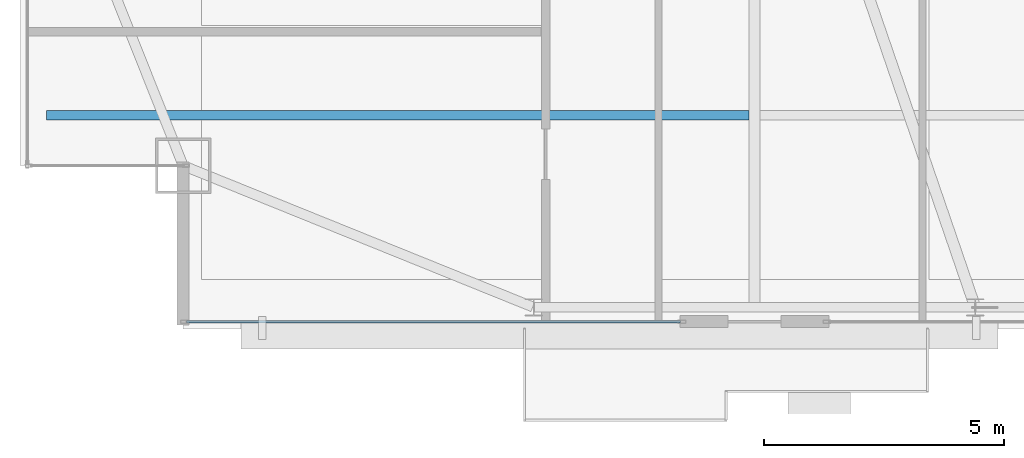
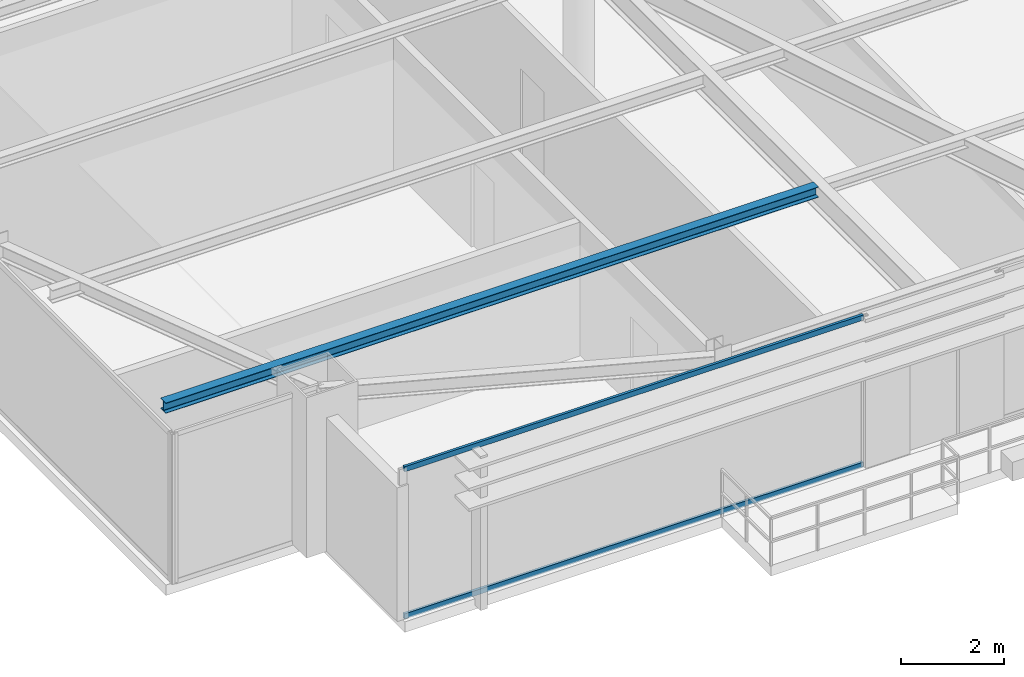
# One storey, part 5 of 30: 2 members, 1 beam, 1 element without a shape of its own.
"""IFC4 building model written with IfcOpenShell, lengths in metres."""

import ifcopenshell
import ifcopenshell.guid

model = None  # the IFC model being written
_history = None  # IfcOwnerHistory: only IFC2X3 demands one
_inside = {}  # id of a spatial element -> (the spatial element, [elements in it])
_under = {}  # id of a project, library or spatial element -> (it, [spatial elements below it])
_declared = {}  # id of a project -> (the project, [libraries it declares])
_typed = {}  # id of a type object -> (the type object, [elements of that type])
_made_of = {}  # id of a material, layer set ... -> (it, [elements and type objects made of it])


def new_model(schema):
    """Start an empty IFC model of exactly this schema.

    Asked for "IFC4X3", IfcOpenShell would pick the latest addendum, in which some entities
    have other attributes; the version numbers below select the first issue.
    IFC2X3 requires an IfcOwnerHistory on every rooted entity: one is made here for all.
    """
    global model, _history
    if schema == "IFC4X3":
        model = ifcopenshell.file(schema_version=(4, 3, 0, 0))
    else:
        model = ifcopenshell.file(schema=schema)
    _inside.clear()
    _under.clear()
    _declared.clear()
    _typed.clear()
    _made_of.clear()
    _history = None
    if model.schema == "IFC2X3":
        org = make("IfcOrganization", Name="unknown")
        user = make(
            "IfcPersonAndOrganization",
            ThePerson=make("IfcPerson", FamilyName="unknown"),
            TheOrganization=org,
        )
        app = make(
            "IfcApplication",
            ApplicationDeveloper=org,
            Version="unknown",
            ApplicationFullName="unknown",
            ApplicationIdentifier="unknown",
        )
        _history = make(
            "IfcOwnerHistory",
            OwningUser=user,
            OwningApplication=app,
            ChangeAction="ADDED",
            CreationDate=0,
        )
    return model


def make(cls, **values):
    """One entity of the class cls with the attributes given. An attribute that is None is left unset."""
    return model.create_entity(
        cls, **{name: value for name, value in values.items() if value is not None}
    )


def rooted(cls, **values):
    """An entity with a GlobalId (a new one), such as an element, a storey or a relation."""
    return make(cls, GlobalId=ifcopenshell.guid.new(), OwnerHistory=_history, **values)


def si_unit(unit_type, name, prefix=None):
    """IfcSIUnit, for example si_unit("LENGTHUNIT", "METRE", prefix="MILLI")."""
    return make("IfcSIUnit", UnitType=unit_type, Prefix=prefix, Name=name)


def assignment(units):
    """IfcUnitAssignment: the units of a project."""
    return None if units is None else make("IfcUnitAssignment", Units=units)


def point(xyz):
    """IfcCartesianPoint."""
    return None if xyz is None else make("IfcCartesianPoint", Coordinates=xyz)


def direction(xyz):
    """IfcDirection."""
    return None if xyz is None else make("IfcDirection", DirectionRatios=xyz)


def frame(location, z_axis=None, x_axis=None):
    """IfcAxis2Placement3D, a coordinate frame: its origin and axes. An axis left out is left unset."""
    return make(
        "IfcAxis2Placement3D",
        Location=point(location),
        Axis=direction(z_axis),
        RefDirection=direction(x_axis),
    )


def frame_2d(location, x_axis=None):
    """IfcAxis2Placement2D, a coordinate frame in the plane: its origin and x axis."""
    return make(
        "IfcAxis2Placement2D", Location=point(location), RefDirection=direction(x_axis)
    )


def origin():
    """The frame at (0, 0, 0) with its axes left unset."""
    return frame((0.0, 0.0, 0.0))


def origin_2d():
    """The frame at (0, 0) in the plane with its x axis left unset."""
    return frame_2d((0.0, 0.0))


def place(relative_to, where):
    """IfcLocalPlacement: puts the frame where relative to a parent placement (None: the world)."""
    return make(
        "IfcLocalPlacement", PlacementRelTo=relative_to, RelativePlacement=where
    )


def context(
    kind, dimensions, precision=None, world=None, true_north=None, identifier=None
):
    """IfcGeometricRepresentationContext, for example the 3D "Model" context."""
    return make(
        "IfcGeometricRepresentationContext",
        ContextIdentifier=identifier,
        ContextType=kind,
        CoordinateSpaceDimension=dimensions,
        Precision=precision,
        WorldCoordinateSystem=world,
        TrueNorth=true_north,
    )


def subcontext(parent, identifier, kind, view, scale=None):
    """IfcGeometricRepresentationSubContext, for example "Body" below "Model"."""
    return make(
        "IfcGeometricRepresentationSubContext",
        ContextIdentifier=identifier,
        ContextType=kind,
        ParentContext=parent,
        TargetScale=scale,
        TargetView=view,
    )


def project(units=None, contexts=None):
    """IfcProject with its units and contexts."""
    return rooted(
        "IfcProject",
        Name="project",
        RepresentationContexts=contexts,
        UnitsInContext=assignment(units),
    )


def spatial(cls, under=None, at=None, **own):
    """A site, building, storey or space (cls), placed at a placement, below another one or the project."""
    s = rooted(cls, ObjectPlacement=at, **own)
    if under is not None:
        _under.setdefault(under.id(), (under, []))[1].append(s)
    return s


def profile(cls, at=None, kind="AREA", **sizes):
    """A parametric profile (cls). Its sizes go by their IFC names, for example OverallWidth=200.0."""
    return make(cls, ProfileType=kind, Position=at, **sizes)


def hollow_rectangle(**sizes):
    """IfcRectangleHollowProfileDef."""
    return profile("IfcRectangleHollowProfileDef", **sizes)


def i_section(**sizes):
    """IfcIShapeProfileDef."""
    return profile("IfcIShapeProfileDef", **sizes)


def extrude(swept, where, along, depth):
    """IfcExtrudedAreaSolid: the profile swept, set in the frame where, extruded along a direction by depth."""
    return make(
        "IfcExtrudedAreaSolid",
        SweptArea=swept,
        Position=where,
        ExtrudedDirection=direction(along),
        Depth=depth,
    )


def shape(context_of_items, identifier, shape_type, items):
    """IfcShapeRepresentation: the items that make up one representation, for example the "Body"."""
    return make(
        "IfcShapeRepresentation",
        ContextOfItems=context_of_items,
        RepresentationIdentifier=identifier,
        RepresentationType=shape_type,
        Items=items,
    )


def source(mapping_origin, context_of_items, identifier, shape_type, items):
    """IfcRepresentationMap: a shape defined once, which mapped items show again and again."""
    return make(
        "IfcRepresentationMap",
        MappingOrigin=mapping_origin,
        MappedRepresentation=shape(context_of_items, identifier, shape_type, items),
    )


def transform(
    local_origin,
    x_axis=None,
    y_axis=None,
    z_axis=None,
    scale=None,
    scale2=None,
    scale3=None,
    uniform=True,
):
    """IfcCartesianTransformationOperator3D, or its non-uniform kind. x_axis, y_axis, z_axis: its Axis1, 2, 3."""
    if uniform:
        return make(
            "IfcCartesianTransformationOperator3D",
            Axis1=direction(x_axis),
            Axis2=direction(y_axis),
            LocalOrigin=point(local_origin),
            Scale=scale,
            Axis3=direction(z_axis),
        )
    return make(
        "IfcCartesianTransformationOperator3DnonUniform",
        Axis1=direction(x_axis),
        Axis2=direction(y_axis),
        LocalOrigin=point(local_origin),
        Scale=scale,
        Axis3=direction(z_axis),
        Scale2=scale2,
        Scale3=scale3,
    )


def mapped(mapping_source, mapping_target):
    """IfcMappedItem: shows the shape of a source again, moved by a transform."""
    return make(
        "IfcMappedItem", MappingSource=mapping_source, MappingTarget=mapping_target
    )


def material(Name=None, Category=None):
    """IfcMaterial."""
    return make("IfcMaterial", Name=Name, Category=Category)


def layer(
    of_material, thickness, ventilated=None, Name=None, Category=None, Priority=None
):
    """IfcMaterialLayer: one layer of a wall or slab, of a material (None: an air gap)."""
    return make(
        "IfcMaterialLayer",
        Material=of_material,
        LayerThickness=thickness,
        IsVentilated=ventilated,
        Name=Name,
        Category=Category,
        Priority=Priority,
    )


def layer_set(layers, Name=None):
    """IfcMaterialLayerSet."""
    return make("IfcMaterialLayerSet", MaterialLayers=layers, LayerSetName=Name)


def material_profile(
    of_material, cross_section, Name=None, Category=None, Priority=None
):
    """IfcMaterialProfile: a cross section and its material."""
    return make(
        "IfcMaterialProfile",
        Name=Name,
        Material=of_material,
        Profile=cross_section,
        Priority=Priority,
        Category=Category,
    )


def profile_set(profiles, Name=None, composite=None):
    """IfcMaterialProfileSet."""
    return make(
        "IfcMaterialProfileSet",
        Name=Name,
        MaterialProfiles=profiles,
        CompositeProfile=composite,
    )


def made_of(thing, what):
    """Note that an element or type object is made of a material, layer set ...; save() writes the relation."""
    if what is not None:
        _made_of.setdefault(what.id(), (what, []))[1].append(thing)
    return thing


def type_object(cls, material=None, **own):
    """A type object (cls), such as IfcWallType, which elements share."""
    return made_of(rooted(cls, **own), material)


def type_shapes(of_type, sources):
    """Give a type object the sources (RepresentationMaps) that its elements show as mapped items."""
    of_type.RepresentationMaps = sources


def element(
    cls,
    number,
    at=None,
    inside=None,
    cuts=None,
    type_object=None,
    material=None,
    context=None,
    identifier="Body",
    shape_type=None,
    held_by="IfcProductDefinitionShape",
    body=None,
    shapes=None,
    **own,
):
    """One element of the class cls, such as IfcWall. Its Tag is "e" and its number.

    at: its placement. inside: the storey or other place that contains it. cuts: it is an
    opening in that element (IfcRelVoidsElement). A single representation is given by context,
    identifier, shape_type and body (its items); several are given by shapes. held_by: the class
    of the entity that holds the representations. save() writes the other relations.
    """
    e = rooted(cls, Tag="e%d" % number, ObjectPlacement=at, **own)
    if body is not None:
        shapes = [shape(context, identifier, shape_type, body)]
    if shapes is not None:
        e.Representation = make(held_by, Representations=shapes)
    if inside is not None:
        _inside.setdefault(inside.id(), (inside, []))[1].append(e)
    if cuts is not None:
        rooted(
            "IfcRelVoidsElement", RelatingBuildingElement=cuts, RelatedOpeningElement=e
        )
    if type_object is not None:
        _typed.setdefault(type_object.id(), (type_object, []))[1].append(e)
    return made_of(e, material)


def aggregate(whole, parts):
    """IfcRelAggregates: a whole, such as a stair, and the parts it consists of."""
    return rooted("IfcRelAggregates", RelatingObject=whole, RelatedObjects=parts)


def save(model, path):
    """Write the relations noted so far, then the file.

    IfcRelAggregates (storeys below a building ...), IfcRelContainedInSpatialStructure (elements
    in a storey), IfcRelDefinesByType, IfcRelAssociatesMaterial and IfcRelDeclares: one each for
    every whole, place, type object, material and project.
    """
    for whole, parts in _under.values():
        aggregate(whole, parts)
    for where, things in _inside.values():
        rooted(
            "IfcRelContainedInSpatialStructure",
            RelatedElements=things,
            RelatingStructure=where,
        )
    for kind, things in _typed.values():
        rooted("IfcRelDefinesByType", RelatedObjects=things, RelatingType=kind)
    for what, things in _made_of.values():
        rooted("IfcRelAssociatesMaterial", RelatedObjects=things, RelatingMaterial=what)
    for by, libraries in _declared.values():
        rooted("IfcRelDeclares", RelatingContext=by, RelatedDefinitions=libraries)
    model.write(path)


model = new_model("IFC4")

# Units and contexts
model_context = context("Model", 3, precision=1e-05, world=origin(), true_north=direction((0.0, 1.0)))
body_context = subcontext(model_context, "Body", "Model", "MODEL_VIEW")
ifc_project = project(units=[si_unit("LENGTHUNIT", "METRE"), si_unit("AREAUNIT", "SQUARE_METRE"), si_unit("VOLUMEUNIT", "CUBIC_METRE"), si_unit("PLANEANGLEUNIT", "RADIAN"), si_unit("MASSUNIT", "GRAM", prefix="KILO")], contexts=[model_context])

# Site, building, storey
site_placement = place(None, origin())
site = spatial("IfcSite", under=ifc_project, at=site_placement, CompositionType="ELEMENT")
building_placement = place(site_placement, origin())
building = spatial("IfcBuilding", under=site, at=building_placement, Name="Varnel Quay Broadcast Tower", CompositionType="ELEMENT")
storey_placement = place(building_placement, frame((0.0, 0.0, 211.199951171875)))
storey = spatial("IfcBuildingStorey", under=building, at=storey_placement, Name="L52", CompositionType="ELEMENT", Elevation=211.199951171875)

# Beam
ifc_material_1 = material(Name="Structural Steel CSA G40.21 350W", Category="steel")
ifc_material_profile_1 = material_profile(ifc_material_1, i_section(OverallWidth=0.201904296875, OverallDepth=0.2470703125, WebThickness=0.00732421875, FlangeThickness=0.010986328125, FilletRadius=0.010986328125, at=origin_2d()), Name="W250X49")
ifc_profile_set_1 = profile_set([ifc_material_profile_1], Name="Structural Steel CSA G40.21 350W")
beam_type = type_object("IfcBeamType", Name="Beam_W250X49", PredefinedType="JOIST", material=ifc_profile_set_1)
shared_shape_1 = source(origin(), body_context, "Body", "SweptSolid", [
    extrude(i_section(OverallWidth=0.201904296875, OverallDepth=0.2470703125, WebThickness=0.00732421875, FlangeThickness=0.010986328125, FilletRadius=0.010986328125, at=origin_2d()), origin(), (0.0, 0.0, 1.0), 14.642333984375),
])
type_shapes(beam_type, [shared_shape_1])
beam_placement = place(storey_placement, frame((10.047607421875, 14.64990234375, 3.426513671875), z_axis=(1.0, 0.0, 0.0), x_axis=(0.0, 1.0, 0.0)))
element("IfcBeam", 1, at=beam_placement, inside=storey, type_object=beam_type, Name="L52 West Floor Joist 1", PredefinedType="JOIST", context=body_context, shape_type="MappedRepresentation", body=[
    mapped(shared_shape_1, transform((0.0, 0.0, 0.0), x_axis=(1.0, 0.0, 0.0), y_axis=(0.0, 1.0, 0.0), z_axis=(0.0, 0.0, 1.0), scale=1.0)),
])

# Curtain wall, members
ifc_material_2 = material(Name="Anodised Bronze Aluminium 6063-T6", Category="aluminium")
ifc_layer = layer(ifc_material_2, 0.18994140625, Name="Anodised Bronze Aluminium 6063-T6")
ifc_layer_set = layer_set([ifc_layer], Name="Anodised Bronze Aluminium 6063-T6")
curtain_wall_type = type_object("IfcCurtainWallType", Name="CW_UpperTower", PredefinedType="NOTDEFINED", material=ifc_layer_set)
curtain_wall_placement = place(storey_placement, origin())
curtain_wall = element("IfcCurtainWall", 2, at=curtain_wall_placement, inside=storey, type_object=curtain_wall_type, Name="L52 South Unitised Curtain Wall 1", PredefinedType="NOTDEFINED")
ifc_material_profile_2 = material_profile(ifc_material_2, hollow_rectangle(XDim=0.06005859375, YDim=0.125, WallThickness=0.0029296875, at=origin_2d()), Name="ALU60X125X3")
ifc_profile_set_2 = profile_set([ifc_material_profile_2], Name="Anodised Bronze Aluminium 6063-T6")
member_type = type_object("IfcMemberType", Name="Tran_CWS-03", PredefinedType="USERDEFINED", material=ifc_profile_set_2)
shared_shape_2 = source(origin(), body_context, "Body", "SweptSolid", [
    extrude(hollow_rectangle(XDim=0.06005859375, YDim=0.125, WallThickness=0.0029296875, at=origin_2d()), origin(), (0.0, 0.0, 1.0), 10.289794921875),
])
type_shapes(member_type, [shared_shape_2])
member_1_placement = place(storey_placement, frame((12.965087890625, 10.35009765625, 0.030029296875), z_axis=(1.0, 0.0, 0.0), x_axis=(0.0, 1.0, 0.0)))
member_1 = element("IfcMember", 3, at=member_1_placement, type_object=member_type, Name="CWS-03 transom 1.1", ObjectType="TRANSOM", PredefinedType="USERDEFINED", context=body_context, shape_type="MappedRepresentation", body=[
    mapped(shared_shape_2, transform((0.0, 0.0, 0.0), x_axis=(1.0, 0.0, 0.0), y_axis=(0.0, 1.0, 0.0), z_axis=(0.0, 0.0, 1.0), scale=1.0)),
])
member_2_placement = place(storey_placement, frame((12.965087890625, 10.35009765625, 3.52001953125), z_axis=(1.0, 0.0, 0.0), x_axis=(0.0, 1.0, 0.0)))
member_2 = element("IfcMember", 4, at=member_2_placement, type_object=member_type, Name="CWS-03 transom 1.2", ObjectType="TRANSOM", PredefinedType="USERDEFINED", context=body_context, shape_type="MappedRepresentation", body=[
    mapped(shared_shape_2, transform((0.0, 0.0, 0.0), x_axis=(1.0, 0.0, 0.0), y_axis=(0.0, 1.0, 0.0), z_axis=(0.0, 0.0, 1.0), scale=1.0)),
])
aggregate(curtain_wall, [member_1, member_2])

save(model, "model.ifc")
